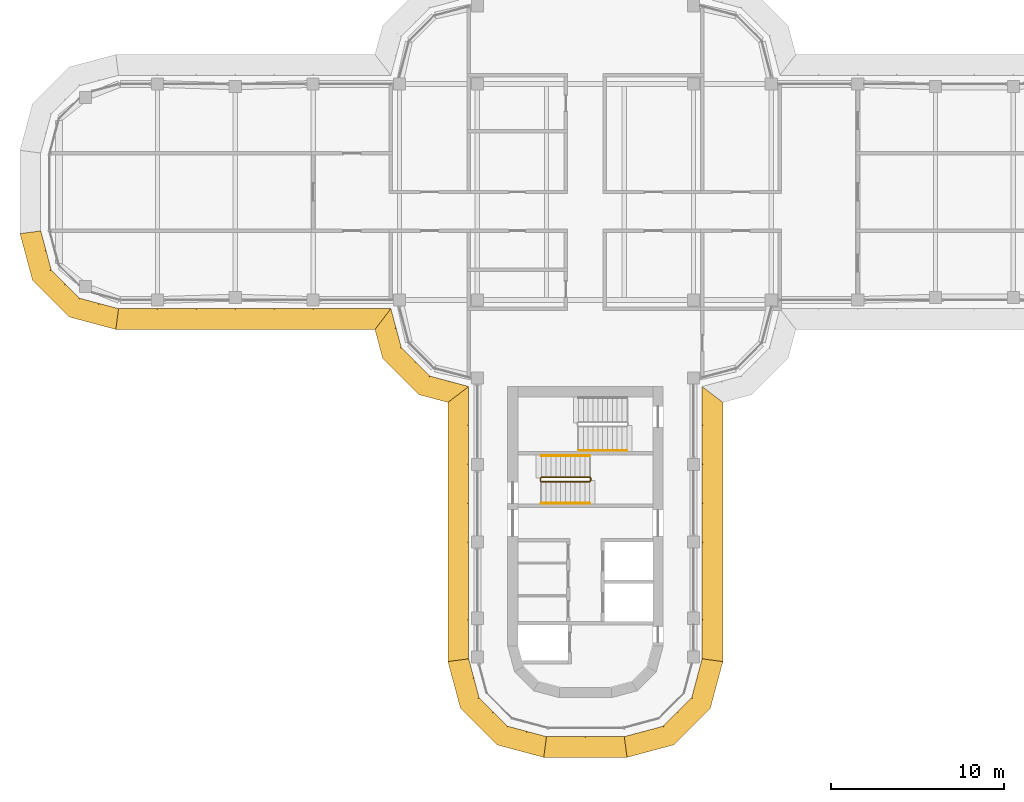
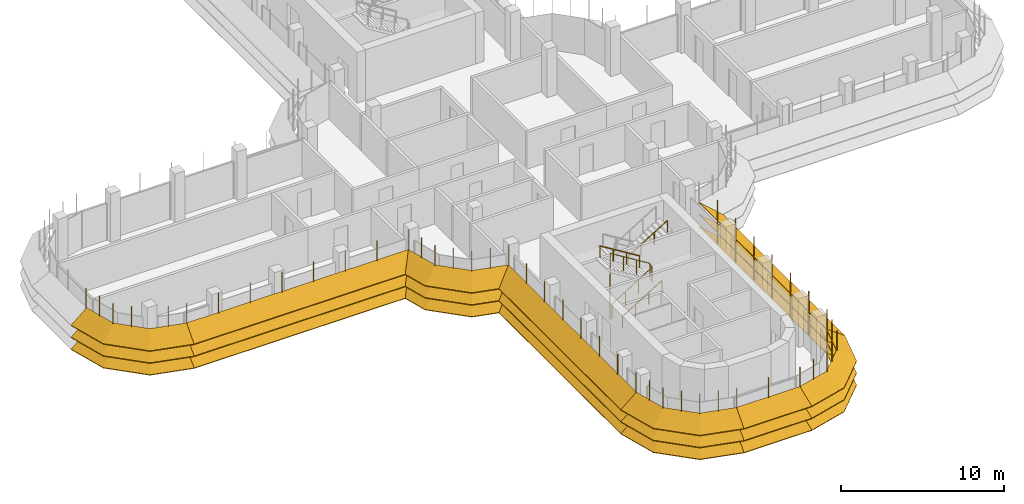
# One storey, part 17 of 19: 8 shading devices, 4 railings.
"""IFC4 building model written with IfcOpenShell, lengths in metres."""

from ifc_helpers import new_model, si_unit, direction, frame, origin, origin_2d, place, context, subcontext, project, spatial, polyline, circle, outline, extrude, faceted_brep, source, transform, mapped, material, type_object, element, save


model = new_model("IFC4")

# Units and contexts
model_context = context("Model", 3, precision=1e-05, world=origin(), true_north=direction((0.0, 1.0)))
body_context = subcontext(model_context, "Body", "Model", "MODEL_VIEW")
ifc_project = project(units=[si_unit("LENGTHUNIT", "METRE"), si_unit("AREAUNIT", "SQUARE_METRE"), si_unit("VOLUMEUNIT", "CUBIC_METRE"), si_unit("PLANEANGLEUNIT", "RADIAN"), si_unit("MASSUNIT", "GRAM", prefix="KILO")], contexts=[model_context])

# Site, building, storey
site_placement = place(None, origin())
site = spatial("IfcSite", under=ifc_project, at=site_placement, CompositionType="ELEMENT")
building_placement = place(site_placement, origin())
building = spatial("IfcBuilding", under=site, at=building_placement, Name="Zarbagh Exchange Tower", CompositionType="ELEMENT")
storey_placement = place(building_placement, frame((0.0, 0.0, 199.199951171875)))
storey = spatial("IfcBuildingStorey", under=building, at=storey_placement, Name="L48", CompositionType="ELEMENT", Elevation=199.199951171875)

# Railings
ifc_material_1 = material(Name="Stainless steel", Category="steel")
railing_type_1 = type_object("IfcRailingType", Name="Stair guard 1100 mm", PredefinedType="GUARDRAIL", material=ifc_material_1)
railing_1_placement = place(storey_placement, frame((-2.550048828125, -16.75, 0.1728515625)))
element("IfcRailing", 1, at=railing_1_placement, inside=storey, type_object=railing_type_1, Name="ST3 stair guard 1", PredefinedType="GUARDRAIL", context=body_context, shape_type="SweptSolid", body=[
    extrude(circle(Radius=0.02392578125, at=origin_2d()), frame((0.0, 0.0, 1.076171875), z_axis=(0.851089632645, 0.0, 0.525020415988), x_axis=(0.0, 1.0, 0.0)), (0.0, 0.0, 1.0), 3.2900390625),
    extrude(circle(Radius=0.02392578125, at=origin_2d()), frame((2.800048828125, 0.0, 2.80322265625), z_axis=(0.707106781187, 0.707106781187, 0.0), x_axis=(-0.707106781187, 0.707106781187, 0.0)), (0.0, 0.0, 1.0), 0.07080078125),
    extrude(circle(Radius=0.02392578125, at=origin_2d()), frame((2.85009765625, 0.050048828125, 2.80322265625), z_axis=(0.0, 1.0, 0.0), x_axis=(-1.0, 0.0, 0.0)), (0.0, 0.0, 1.0), 0.14990234375),
    extrude(circle(Radius=0.02392578125, at=origin_2d()), frame((2.85009765625, 0.199951171875, 2.80322265625), z_axis=(-0.268277960024, 0.268277960024, 0.925231793839), x_axis=(-0.707106781187, -0.707106781187, 0.0)), (0.0, 0.0, 1.0), 0.1865234375),
    extrude(circle(Radius=0.02392578125, at=origin_2d()), frame((2.800048828125, 0.25, 2.97607421875), z_axis=(-0.851089632645, 0.0, 0.525020415988), x_axis=(0.0, -1.0, 0.0)), (0.0, 0.0, 1.0), 3.2900390625),
    extrude(circle(Radius=0.02392578125, at=origin_2d()), frame((0.0, 0.25, 4.703125), z_axis=(-0.013168290981, -0.013168290981, -0.999826581076), x_axis=(0.707106781187, -0.707106781187, 0.0)), (0.0, 0.0, 1.0), 3.80078125),
    extrude(circle(Radius=0.02392578125, at=origin_2d()), frame((-0.050048828125, 0.199951171875, 0.9033203125), z_axis=(0.0, -1.0, 0.0), x_axis=(1.0, 0.0, 0.0)), (0.0, 0.0, 1.0), 0.14990234375),
    extrude(circle(Radius=0.02099609375, at=origin_2d()), origin(), (0.0, 0.0, 1.0), 1.052001953125),
    extrude(circle(Radius=0.02099609375, at=origin_2d()), frame((0.933349609375, 0.0, 0.57568359375)), (0.0, 0.0, 1.0), 1.052001953125),
    extrude(circle(Radius=0.02099609375, at=origin_2d()), frame((1.86669921875, 0.0, 1.151611328125)), (0.0, 0.0, 1.0), 1.052001953125),
    extrude(circle(Radius=0.02099609375, at=origin_2d()), frame((2.800048828125, 0.0, 1.727294921875)), (0.0, 0.0, 1.0), 1.052001953125),
    extrude(circle(Radius=0.02099609375, at=origin_2d()), frame((2.85009765625, 0.050048828125, 1.727294921875)), (0.0, 0.0, 1.0), 1.052001953125),
    extrude(circle(Radius=0.02099609375, at=origin_2d()), frame((2.85009765625, 0.199951171875, 1.727294921875)), (0.0, 0.0, 1.0), 1.052001953125),
    extrude(circle(Radius=0.02099609375, at=origin_2d()), frame((2.800048828125, 0.25, 1.89990234375)), (0.0, 0.0, 1.0), 1.052001953125),
    extrude(circle(Radius=0.02099609375, at=origin_2d()), frame((1.86669921875, 0.25, 2.4755859375)), (0.0, 0.0, 1.0), 1.052001953125),
    extrude(circle(Radius=0.02099609375, at=origin_2d()), frame((0.933349609375, 0.25, 3.051513671875)), (0.0, 0.0, 1.0), 1.052001953125),
    extrude(circle(Radius=0.02099609375, at=origin_2d()), frame((0.0, 0.25, 3.627197265625)), (0.0, 0.0, 1.0), 1.052001953125),
    extrude(circle(Radius=0.02099609375, at=origin_2d()), frame((-0.012451171875, 0.237548828125, 2.67724609375)), (0.0, 0.0, 1.0), 1.052001953125),
    extrude(circle(Radius=0.02099609375, at=origin_2d()), frame((-0.02490234375, 0.22509765625, 1.72705078125)), (0.0, 0.0, 1.0), 1.052001953125),
    extrude(circle(Radius=0.02099609375, at=origin_2d()), frame((-0.03759765625, 0.21240234375, 0.777099609375)), (0.0, 0.0, 1.0), 1.052001953125),
    extrude(circle(Radius=0.02099609375, at=origin_2d()), frame((-0.050048828125, 0.199951171875, -0.1728515625)), (0.0, 0.0, 1.0), 1.052001953125),
    extrude(circle(Radius=0.02099609375, at=origin_2d()), frame((-0.050048828125, 0.050048828125, -0.1728515625)), (0.0, 0.0, 1.0), 1.052001953125),
])
railing_type_2 = type_object("IfcRailingType", Name="Stair handrail 900 mm", PredefinedType="HANDRAIL", material=ifc_material_1)
railing_2_placement = place(storey_placement, frame((-2.550048828125, -18.0, 0.1728515625)))
element("IfcRailing", 2, at=railing_2_placement, inside=storey, type_object=railing_type_2, Name="ST3 stair handrail 1", PredefinedType="HANDRAIL", context=body_context, shape_type="SweptSolid", body=[
    extrude(circle(Radius=0.02392578125, at=origin_2d()), frame((0.0, 0.0, 0.8759765625), z_axis=(0.851089632645, 0.0, 0.525020415988), x_axis=(0.0, 1.0, 0.0)), (0.0, 0.0, 1.0), 3.2900390625),
    extrude(circle(Radius=0.02099609375, at=origin_2d()), origin(), (0.0, 0.0, 1.0), 0.851806640625),
    extrude(circle(Radius=0.02099609375, at=origin_2d()), frame((0.933349609375, 0.0, 0.57568359375)), (0.0, 0.0, 1.0), 0.851806640625),
    extrude(circle(Radius=0.02099609375, at=origin_2d()), frame((1.86669921875, 0.0, 1.151611328125)), (0.0, 0.0, 1.0), 0.851806640625),
    extrude(circle(Radius=0.02099609375, at=origin_2d()), frame((2.800048828125, 0.0, 1.727294921875)), (0.0, 0.0, 1.0), 0.851806640625),
])
railing_3_placement = place(storey_placement, frame((0.25, -15.25, 2.07275390625)))
element("IfcRailing", 3, at=railing_3_placement, inside=storey, type_object=railing_type_2, Name="ST3 stair handrail 2", PredefinedType="HANDRAIL", context=body_context, shape_type="SweptSolid", body=[
    extrude(circle(Radius=0.02392578125, at=origin_2d()), frame((0.0, 0.0, 0.8759765625), z_axis=(-0.851089632645, 0.0, 0.525020415988), x_axis=(0.0, -1.0, 0.0)), (0.0, 0.0, 1.0), 3.2900390625),
    extrude(circle(Radius=0.02099609375, at=origin_2d()), origin(), (0.0, 0.0, 1.0), 0.851806640625),
    extrude(circle(Radius=0.02099609375, at=origin_2d()), frame((-0.933349609375, 0.0, 0.57568359375)), (0.0, 0.0, 1.0), 0.851806640625),
    extrude(circle(Radius=0.02099609375, at=origin_2d()), frame((-1.86669921875, 0.0, 1.151611328125)), (0.0, 0.0, 1.0), 0.851806640625),
    extrude(circle(Radius=0.02099609375, at=origin_2d()), frame((-2.800048828125, 0.0, 1.727294921875)), (0.0, 0.0, 1.0), 0.851806640625),
])
railing_4_placement = place(storey_placement, frame((-0.39990234375, -14.949951171875, 2.07275390625)))
element("IfcRailing", 4, at=railing_4_placement, inside=storey, type_object=railing_type_2, Name="ST4 stair handrail 2", PredefinedType="HANDRAIL", context=body_context, shape_type="SweptSolid", body=[
    extrude(circle(Radius=0.02392578125, at=origin_2d()), frame((0.0, 0.0, 0.8759765625), z_axis=(0.851069175582, 0.0, 0.525053576669), x_axis=(0.0, 1.0, 0.0)), (0.0, 0.0, 1.0), 3.289794921875),
    extrude(circle(Radius=0.02099609375, at=origin_2d()), origin(), (0.0, 0.0, 1.0), 0.851806640625),
    extrude(circle(Radius=0.02099609375, at=origin_2d()), frame((0.933349609375, 0.0, 0.57568359375)), (0.0, 0.0, 1.0), 0.851806640625),
    extrude(circle(Radius=0.02099609375, at=origin_2d()), frame((1.866455078125, 0.0, 1.151611328125)), (0.0, 0.0, 1.0), 0.851806640625),
    extrude(circle(Radius=0.02099609375, at=origin_2d()), frame((2.7998046875, 0.0, 1.727294921875)), (0.0, 0.0, 1.0), 0.851806640625),
])

# Shading devices
ifc_material_2 = material(Name="Anodised aluminium blades and brackets", Category="aluminium")
shading_device_type = type_object("IfcShadingDeviceType", Name="SUNSHADE louvre band, 33.75 degree blades", PredefinedType="JALOUSIE", material=ifc_material_2)
shared_shape_1 = source(origin(), body_context, "Body", "Brep", [
    faceted_brep([(0.0, 0.0, 0.0), (0.0, 0.0, -0.048095703125), (-0.157958984375, -1.199951171875, -0.849853515625), (-0.157958984375, -1.199951171875, -0.8017578125), (2.65087890625, -1.199951171875, -0.8017578125), (2.65087890625, -1.199951171875, -0.849853515625), (2.329345703125, 0.0, -0.048095703125), (2.329345703125, 0.0, 0.0)], [[[0, 1, 2, 3]], [[4, 5, 6, 7]], [[0, 7, 6, 1]], [[1, 6, 5, 2]], [[2, 5, 4, 3]], [[3, 4, 7, 0]]]),
])
shared_shape_2 = source(origin(), body_context, "Body", "Brep", [
    faceted_brep([(0.0, 0.0, 0.0), (0.0, 0.0, -0.048095703125), (-0.321533203125, -1.199951171875, -0.849853515625), (-0.321533203125, -1.199951171875, -0.8017578125), (2.65087890625, -1.199951171875, -0.8017578125), (2.65087890625, -1.199951171875, -0.849853515625), (2.329345703125, 0.0, -0.048095703125), (2.329345703125, 0.0, 0.0)], [[[0, 1, 2, 3]], [[4, 5, 6, 7]], [[0, 7, 6, 1]], [[1, 6, 5, 2]], [[2, 5, 4, 3]], [[3, 4, 7, 0]]]),
])
shared_shape_3 = source(origin(), body_context, "Body", "Brep", [
    faceted_brep([(0.0, 0.0, 0.0), (0.0, 0.0, -0.048095703125), (-0.321533203125, -1.199951171875, -0.849853515625), (-0.321533203125, -1.199951171875, -0.8017578125), (2.4873046875, -1.199951171875, -0.8017578125), (2.4873046875, -1.199951171875, -0.849853515625), (2.329345703125, 0.0, -0.048095703125), (2.329345703125, 0.0, 0.0)], [[[0, 1, 2, 3]], [[4, 5, 6, 7]], [[0, 7, 6, 1]], [[1, 6, 5, 2]], [[2, 5, 4, 3]], [[3, 4, 7, 0]]]),
])
shared_shape_4 = source(origin(), body_context, "Body", "SweptSolid", [
    extrude(outline(polyline([(0.0, -0.012451171875), (0.06005859375, -0.012451171875), (0.06005859375, 0.012451171875), (0.0, 0.012451171875), (0.0, -0.012451171875)])), origin(), (0.0, 0.0, 1.0), 3.358154296875),
])
placement = place(storey_placement, origin())
element("IfcShadingDevice", 5, at=placement, inside=storey, type_object=shading_device_type, Name="SS35 sunshade band", PredefinedType="JALOUSIE", context=body_context, shape_type="MappedRepresentation", body=[
    mapped(shared_shape_1, transform((2.25, -31.5, 2.300048828125), x_axis=(0.965924289636, 0.258824779902, 0.0), y_axis=(-0.258824779902, 0.965924289636, 0.0), z_axis=(0.0, 0.0, 1.0))),
    mapped(shared_shape_1, transform((2.25, -31.5, 1.400146484375), x_axis=(0.965924289636, 0.258824779902, 0.0), y_axis=(-0.258824779902, 0.965924289636, 0.0), z_axis=(0.0, 0.0, 1.0))),
    mapped(shared_shape_1, transform((2.25, -31.5, 0.5), x_axis=(0.965924289636, 0.258824779902, 0.0), y_axis=(-0.258824779902, 0.965924289636, 0.0), z_axis=(0.0, 0.0, 1.0))),
    mapped(shared_shape_2, transform((4.5, -30.897216796875, 2.300048828125), x_axis=(0.707106781187, 0.707106781187, 0.0), y_axis=(-0.707106781187, 0.707106781187, 0.0), z_axis=(0.0, 0.0, 1.0))),
    mapped(shared_shape_2, transform((4.5, -30.897216796875, 1.400146484375), x_axis=(0.707106781187, 0.707106781187, 0.0), y_axis=(-0.707106781187, 0.707106781187, 0.0), z_axis=(0.0, 0.0, 1.0))),
    mapped(shared_shape_2, transform((4.5, -30.897216796875, 0.5), x_axis=(0.707106781187, 0.707106781187, 0.0), y_axis=(-0.707106781187, 0.707106781187, 0.0), z_axis=(0.0, 0.0, 1.0))),
    mapped(shared_shape_3, transform((6.147216796875, -29.25, 2.300048828125), x_axis=(0.258824779902, 0.965924289636, 0.0), y_axis=(-0.965924289636, 0.258824779902, 0.0), z_axis=(0.0, 0.0, 1.0))),
    mapped(shared_shape_3, transform((6.147216796875, -29.25, 1.400146484375), x_axis=(0.258824779902, 0.965924289636, 0.0), y_axis=(-0.965924289636, 0.258824779902, 0.0), z_axis=(0.0, 0.0, 1.0))),
    mapped(shared_shape_3, transform((6.147216796875, -29.25, 0.5), x_axis=(0.258824779902, 0.965924289636, 0.0), y_axis=(-0.965924289636, 0.258824779902, 0.0), z_axis=(0.0, 0.0, 1.0))),
    mapped(shared_shape_4, transform((2.25, -31.5, 0.421875), x_axis=(0.130529263012, -0.991444457092, 0.0), y_axis=(0.991444457092, 0.130529263012, 0.0), z_axis=(0.0, 0.0, 1.0))),
    mapped(shared_shape_4, transform((3.375, -31.198486328125, 0.421875), x_axis=(0.258825058029, -0.96592421511, 0.0), y_axis=(0.96592421511, 0.258825058029, 0.0), z_axis=(0.0, 0.0, 1.0))),
    mapped(shared_shape_4, transform((4.5, -30.897216796875, 0.421875), x_axis=(0.50000275701, -0.866023812018, 0.0), y_axis=(0.866023812018, 0.50000275701, 0.0), z_axis=(0.0, 0.0, 1.0))),
    mapped(shared_shape_4, transform((5.323486328125, -30.073486328125, 0.421875), x_axis=(0.707106781187, -0.707106781187, 0.0), y_axis=(0.707106781187, 0.707106781187, 0.0), z_axis=(0.0, 0.0, 1.0))),
    mapped(shared_shape_4, transform((6.147216796875, -29.25, 0.421875), x_axis=(0.866023812018, -0.50000275701, 0.0), y_axis=(0.50000275701, 0.866023812018, 0.0), z_axis=(0.0, 0.0, 1.0))),
    mapped(shared_shape_4, transform((6.448486328125, -28.125, 0.421875), x_axis=(0.96592421511, -0.258825058029, 0.0), y_axis=(0.258825058029, 0.96592421511, 0.0), z_axis=(0.0, 0.0, 1.0))),
])
element("IfcShadingDevice", 6, at=placement, inside=storey, type_object=shading_device_type, Name="SS43 sunshade band", PredefinedType="JALOUSIE", context=body_context, shape_type="MappedRepresentation", body=[
    mapped(shared_shape_1, transform((-31.5, -2.25, 2.300048828125), x_axis=(0.258824779902, -0.965924289636, 0.0), y_axis=(0.965924289636, 0.258824779902, 0.0), z_axis=(0.0, 0.0, 1.0))),
    mapped(shared_shape_1, transform((-31.5, -2.25, 1.400146484375), x_axis=(0.258824779902, -0.965924289636, 0.0), y_axis=(0.965924289636, 0.258824779902, 0.0), z_axis=(0.0, 0.0, 1.0))),
    mapped(shared_shape_1, transform((-31.5, -2.25, 0.5), x_axis=(0.258824779902, -0.965924289636, 0.0), y_axis=(0.965924289636, 0.258824779902, 0.0), z_axis=(0.0, 0.0, 1.0))),
    mapped(shared_shape_2, transform((-30.897216796875, -4.5, 2.300048828125), x_axis=(0.707106781187, -0.707106781187, 0.0), y_axis=(0.707106781187, 0.707106781187, 0.0), z_axis=(0.0, 0.0, 1.0))),
    mapped(shared_shape_2, transform((-30.897216796875, -4.5, 1.400146484375), x_axis=(0.707106781187, -0.707106781187, 0.0), y_axis=(0.707106781187, 0.707106781187, 0.0), z_axis=(0.0, 0.0, 1.0))),
    mapped(shared_shape_2, transform((-30.897216796875, -4.5, 0.5), x_axis=(0.707106781187, -0.707106781187, 0.0), y_axis=(0.707106781187, 0.707106781187, 0.0), z_axis=(0.0, 0.0, 1.0))),
    mapped(shared_shape_3, transform((-29.25, -6.147216796875, 2.300048828125), x_axis=(0.965924289636, -0.258824779902, 0.0), y_axis=(0.258824779902, 0.965924289636, 0.0), z_axis=(0.0, 0.0, 1.0))),
    mapped(shared_shape_3, transform((-29.25, -6.147216796875, 1.400146484375), x_axis=(0.965924289636, -0.258824779902, 0.0), y_axis=(0.258824779902, 0.965924289636, 0.0), z_axis=(0.0, 0.0, 1.0))),
    mapped(shared_shape_3, transform((-29.25, -6.147216796875, 0.5), x_axis=(0.965924289636, -0.258824779902, 0.0), y_axis=(0.258824779902, 0.965924289636, 0.0), z_axis=(0.0, 0.0, 1.0))),
    mapped(shared_shape_4, transform((-31.5, -2.25, 0.421875), x_axis=(-0.991444457092, -0.130529263012, 0.0), y_axis=(0.130529263012, -0.991444457092, 0.0), z_axis=(0.0, 0.0, 1.0))),
    mapped(shared_shape_4, transform((-31.198486328125, -3.375, 0.421875), x_axis=(-0.96592421511, -0.258825058029, 0.0), y_axis=(0.258825058029, -0.96592421511, 0.0), z_axis=(0.0, 0.0, 1.0))),
    mapped(shared_shape_4, transform((-30.897216796875, -4.5, 0.421875), x_axis=(-0.866023812018, -0.50000275701, 0.0), y_axis=(0.50000275701, -0.866023812018, 0.0), z_axis=(0.0, 0.0, 1.0))),
    mapped(shared_shape_4, transform((-30.073486328125, -5.323486328125, 0.421875), x_axis=(-0.707106781187, -0.707106781187, 0.0), y_axis=(0.707106781187, -0.707106781187, 0.0), z_axis=(0.0, 0.0, 1.0))),
    mapped(shared_shape_4, transform((-29.25, -6.147216796875, 0.421875), x_axis=(-0.50000275701, -0.866023812018, 0.0), y_axis=(0.866023812018, -0.50000275701, 0.0), z_axis=(0.0, 0.0, 1.0))),
    mapped(shared_shape_4, transform((-28.125, -6.448486328125, 0.421875), x_axis=(-0.258825058029, -0.96592421511, 0.0), y_axis=(0.96592421511, -0.258825058029, 0.0), z_axis=(0.0, 0.0, 1.0))),
])
element("IfcShadingDevice", 7, at=placement, inside=storey, type_object=shading_device_type, Name="SS38 sunshade band", PredefinedType="JALOUSIE", context=body_context, shape_type="MappedRepresentation", body=[
    mapped(shared_shape_1, transform((-6.75, -27.0, 2.300048828125), x_axis=(0.258824779902, -0.965924289636, 0.0), y_axis=(0.965924289636, 0.258824779902, 0.0), z_axis=(0.0, 0.0, 1.0))),
    mapped(shared_shape_1, transform((-6.75, -27.0, 1.400146484375), x_axis=(0.258824779902, -0.965924289636, 0.0), y_axis=(0.965924289636, 0.258824779902, 0.0), z_axis=(0.0, 0.0, 1.0))),
    mapped(shared_shape_1, transform((-6.75, -27.0, 0.5), x_axis=(0.258824779902, -0.965924289636, 0.0), y_axis=(0.965924289636, 0.258824779902, 0.0), z_axis=(0.0, 0.0, 1.0))),
    mapped(shared_shape_2, transform((-6.147216796875, -29.25, 2.300048828125), x_axis=(0.707106781187, -0.707106781187, 0.0), y_axis=(0.707106781187, 0.707106781187, 0.0), z_axis=(0.0, 0.0, 1.0))),
    mapped(shared_shape_2, transform((-6.147216796875, -29.25, 1.400146484375), x_axis=(0.707106781187, -0.707106781187, 0.0), y_axis=(0.707106781187, 0.707106781187, 0.0), z_axis=(0.0, 0.0, 1.0))),
    mapped(shared_shape_2, transform((-6.147216796875, -29.25, 0.5), x_axis=(0.707106781187, -0.707106781187, 0.0), y_axis=(0.707106781187, 0.707106781187, 0.0), z_axis=(0.0, 0.0, 1.0))),
    mapped(shared_shape_3, transform((-4.5, -30.897216796875, 2.300048828125), x_axis=(0.965924289636, -0.258824779902, 0.0), y_axis=(0.258824779902, 0.965924289636, 0.0), z_axis=(0.0, 0.0, 1.0))),
    mapped(shared_shape_3, transform((-4.5, -30.897216796875, 1.400146484375), x_axis=(0.965924289636, -0.258824779902, 0.0), y_axis=(0.258824779902, 0.965924289636, 0.0), z_axis=(0.0, 0.0, 1.0))),
    mapped(shared_shape_3, transform((-4.5, -30.897216796875, 0.5), x_axis=(0.965924289636, -0.258824779902, 0.0), y_axis=(0.258824779902, 0.965924289636, 0.0), z_axis=(0.0, 0.0, 1.0))),
    mapped(shared_shape_4, transform((-6.75, -27.0, 0.421875), x_axis=(-0.991444457092, -0.130529263012, 0.0), y_axis=(0.130529263012, -0.991444457092, 0.0), z_axis=(0.0, 0.0, 1.0))),
    mapped(shared_shape_4, transform((-6.448486328125, -28.125, 0.421875), x_axis=(-0.96592421511, -0.258825058029, 0.0), y_axis=(0.258825058029, -0.96592421511, 0.0), z_axis=(0.0, 0.0, 1.0))),
    mapped(shared_shape_4, transform((-6.147216796875, -29.25, 0.421875), x_axis=(-0.866023812018, -0.50000275701, 0.0), y_axis=(0.50000275701, -0.866023812018, 0.0), z_axis=(0.0, 0.0, 1.0))),
    mapped(shared_shape_4, transform((-5.323486328125, -30.073486328125, 0.421875), x_axis=(-0.707106781187, -0.707106781187, 0.0), y_axis=(0.707106781187, -0.707106781187, 0.0), z_axis=(0.0, 0.0, 1.0))),
    mapped(shared_shape_4, transform((-4.5, -30.897216796875, 0.421875), x_axis=(-0.50000275701, -0.866023812018, 0.0), y_axis=(0.866023812018, -0.50000275701, 0.0), z_axis=(0.0, 0.0, 1.0))),
    mapped(shared_shape_4, transform((-3.375, -31.198486328125, 0.421875), x_axis=(-0.258825058029, -0.96592421511, 0.0), y_axis=(0.96592421511, -0.258825058029, 0.0), z_axis=(0.0, 0.0, 1.0))),
])
shared_shape_5 = source(origin(), body_context, "Body", "Brep", [
    faceted_brep([(0.0, 0.0, 0.0), (0.0, 0.0, -0.048095703125), (0.9208984375, -1.199951171875, -0.849853515625), (0.9208984375, -1.199951171875, -0.8017578125), (2.65087890625, -1.199951171875, -0.8017578125), (2.65087890625, -1.199951171875, -0.849853515625), (2.329345703125, 0.0, -0.048095703125), (2.329345703125, 0.0, 0.0)], [[[0, 1, 2, 3]], [[4, 5, 6, 7]], [[0, 7, 6, 1]], [[1, 6, 5, 2]], [[2, 5, 4, 3]], [[3, 4, 7, 0]]]),
])
shared_shape_6 = source(origin(), body_context, "Body", "Brep", [
    faceted_brep([(0.0, 0.0, 0.0), (0.0, 0.0, -0.048095703125), (-0.321533203125, -1.199951171875, -0.849853515625), (-0.321533203125, -1.199951171875, -0.8017578125), (1.40869140625, -1.199951171875, -0.8017578125), (1.40869140625, -1.199951171875, -0.849853515625), (2.329345703125, 0.0, -0.048095703125), (2.329345703125, 0.0, 0.0)], [[[0, 1, 2, 3]], [[4, 5, 6, 7]], [[0, 7, 6, 1]], [[1, 6, 5, 2]], [[2, 5, 4, 3]], [[3, 4, 7, 0]]]),
])
element("IfcShadingDevice", 8, at=placement, inside=storey, type_object=shading_device_type, Name="SS21 sunshade band", PredefinedType="JALOUSIE", context=body_context, shape_type="MappedRepresentation", body=[
    mapped(shared_shape_5, transform((-11.25, -6.75, 2.300048828125), x_axis=(0.258824779902, -0.965924289636, 0.0), y_axis=(0.965924289636, 0.258824779902, 0.0), z_axis=(0.0, 0.0, 1.0))),
    mapped(shared_shape_5, transform((-11.25, -6.75, 1.400146484375), x_axis=(0.258824779902, -0.965924289636, 0.0), y_axis=(0.965924289636, 0.258824779902, 0.0), z_axis=(0.0, 0.0, 1.0))),
    mapped(shared_shape_5, transform((-11.25, -6.75, 0.5), x_axis=(0.258824779902, -0.965924289636, 0.0), y_axis=(0.965924289636, 0.258824779902, 0.0), z_axis=(0.0, 0.0, 1.0))),
    mapped(shared_shape_2, transform((-10.647216796875, -9.0, 2.300048828125), x_axis=(0.707106781187, -0.707106781187, 0.0), y_axis=(0.707106781187, 0.707106781187, 0.0), z_axis=(0.0, 0.0, 1.0))),
    mapped(shared_shape_2, transform((-10.647216796875, -9.0, 1.400146484375), x_axis=(0.707106781187, -0.707106781187, 0.0), y_axis=(0.707106781187, 0.707106781187, 0.0), z_axis=(0.0, 0.0, 1.0))),
    mapped(shared_shape_2, transform((-10.647216796875, -9.0, 0.5), x_axis=(0.707106781187, -0.707106781187, 0.0), y_axis=(0.707106781187, 0.707106781187, 0.0), z_axis=(0.0, 0.0, 1.0))),
    mapped(shared_shape_6, transform((-9.0, -10.647216796875, 2.300048828125), x_axis=(0.965924289636, -0.258824779902, 0.0), y_axis=(0.258824779902, 0.965924289636, 0.0), z_axis=(0.0, 0.0, 1.0))),
    mapped(shared_shape_6, transform((-9.0, -10.647216796875, 1.400146484375), x_axis=(0.965924289636, -0.258824779902, 0.0), y_axis=(0.258824779902, 0.965924289636, 0.0), z_axis=(0.0, 0.0, 1.0))),
    mapped(shared_shape_6, transform((-9.0, -10.647216796875, 0.5), x_axis=(0.965924289636, -0.258824779902, 0.0), y_axis=(0.258824779902, 0.965924289636, 0.0), z_axis=(0.0, 0.0, 1.0))),
    mapped(shared_shape_4, transform((-11.25, -6.75, 0.421875), x_axis=(-0.608758892, -0.793355287, 0.0), y_axis=(0.793355287, -0.608758892, 0.0), z_axis=(0.0, 0.0, 1.0))),
    mapped(shared_shape_4, transform((-10.948486328125, -7.875, 0.421875), x_axis=(-0.96592421511, -0.258825058029, 0.0), y_axis=(0.258825058029, -0.96592421511, 0.0), z_axis=(0.0, 0.0, 1.0))),
    mapped(shared_shape_4, transform((-10.647216796875, -9.0, 0.421875), x_axis=(-0.866023812018, -0.50000275701, 0.0), y_axis=(0.50000275701, -0.866023812018, 0.0), z_axis=(0.0, 0.0, 1.0))),
    mapped(shared_shape_4, transform((-9.823486328125, -9.823486328125, 0.421875), x_axis=(-0.707106781187, -0.707106781187, 0.0), y_axis=(0.707106781187, -0.707106781187, 0.0), z_axis=(0.0, 0.0, 1.0))),
    mapped(shared_shape_4, transform((-9.0, -10.647216796875, 0.421875), x_axis=(-0.50000275701, -0.866023812018, 0.0), y_axis=(0.866023812018, -0.50000275701, 0.0), z_axis=(0.0, 0.0, 1.0))),
    mapped(shared_shape_4, transform((-7.875, -10.948486328125, 0.421875), x_axis=(-0.258825058029, -0.96592421511, 0.0), y_axis=(0.96592421511, -0.258825058029, 0.0), z_axis=(0.0, 0.0, 1.0))),
])
shared_shape_7 = source(origin(), body_context, "Body", "Brep", [
    faceted_brep([(0.0, 0.0, 0.0), (0.0, 0.0, -0.048095703125), (-0.157958984375, -1.199951171875, -0.849853515625), (-0.157958984375, -1.199951171875, -0.8017578125), (14.8291015625, -1.199951171875, -0.8017578125), (14.8291015625, -1.199951171875, -0.849853515625), (15.75, 0.0, -0.048095703125), (15.75, 0.0, 0.0)], [[[0, 1, 2, 3]], [[4, 5, 6, 7]], [[0, 7, 6, 1]], [[1, 6, 5, 2]], [[2, 5, 4, 3]], [[3, 4, 7, 0]]]),
])
element("IfcShadingDevice", 9, at=placement, inside=storey, type_object=shading_device_type, Name="SS36 sunshade band", PredefinedType="JALOUSIE", context=body_context, shape_type="MappedRepresentation", body=[
    mapped(shared_shape_7, transform((6.75, -27.0, 2.300048828125), x_axis=(0.0, 1.0, 0.0), y_axis=(-1.0, 0.0, 0.0), z_axis=(0.0, 0.0, 1.0))),
    mapped(shared_shape_7, transform((6.75, -27.0, 1.400146484375), x_axis=(0.0, 1.0, 0.0), y_axis=(-1.0, 0.0, 0.0), z_axis=(0.0, 0.0, 1.0))),
    mapped(shared_shape_7, transform((6.75, -27.0, 0.5), x_axis=(0.0, 1.0, 0.0), y_axis=(-1.0, 0.0, 0.0), z_axis=(0.0, 0.0, 1.0))),
    mapped(shared_shape_4, transform((6.75, -27.0, 0.421875), x_axis=(0.991444457092, -0.130529263012, 0.0), y_axis=(0.130529263012, 0.991444457092, 0.0), z_axis=(0.0, 0.0, 1.0))),
    mapped(shared_shape_4, transform((6.75, -24.75, 0.421875), x_axis=(1.0, 0.0, 0.0), y_axis=(0.0, 1.0, 0.0), z_axis=(0.0, 0.0, 1.0))),
    mapped(shared_shape_4, transform((6.75, -22.5, 0.421875), x_axis=(1.0, 0.0, 0.0), y_axis=(0.0, 1.0, 0.0), z_axis=(0.0, 0.0, 1.0))),
    mapped(shared_shape_4, transform((6.75, -20.25, 0.421875), x_axis=(1.0, 0.0, 0.0), y_axis=(0.0, 1.0, 0.0), z_axis=(0.0, 0.0, 1.0))),
    mapped(shared_shape_4, transform((6.75, -18.0, 0.421875), x_axis=(1.0, 0.0, 0.0), y_axis=(0.0, 1.0, 0.0), z_axis=(0.0, 0.0, 1.0))),
    mapped(shared_shape_4, transform((6.75, -15.75, 0.421875), x_axis=(1.0, 0.0, 0.0), y_axis=(0.0, 1.0, 0.0), z_axis=(0.0, 0.0, 1.0))),
    mapped(shared_shape_4, transform((6.75, -13.5, 0.421875), x_axis=(1.0, 0.0, 0.0), y_axis=(0.0, 1.0, 0.0), z_axis=(0.0, 0.0, 1.0))),
])
element("IfcShadingDevice", 10, at=placement, inside=storey, type_object=shading_device_type, Name="SS44 sunshade band", PredefinedType="JALOUSIE", context=body_context, shape_type="MappedRepresentation", body=[
    mapped(shared_shape_7, transform((-27.0, -6.75, 2.300048828125), x_axis=(1.0, 0.0, 0.0), y_axis=(0.0, 1.0, 0.0), z_axis=(0.0, 0.0, 1.0))),
    mapped(shared_shape_7, transform((-27.0, -6.75, 1.400146484375), x_axis=(1.0, 0.0, 0.0), y_axis=(0.0, 1.0, 0.0), z_axis=(0.0, 0.0, 1.0))),
    mapped(shared_shape_7, transform((-27.0, -6.75, 0.5), x_axis=(1.0, 0.0, 0.0), y_axis=(0.0, 1.0, 0.0), z_axis=(0.0, 0.0, 1.0))),
    mapped(shared_shape_4, transform((-27.0, -6.75, 0.421875), x_axis=(-0.130529263012, -0.991444457092, 0.0), y_axis=(0.991444457092, -0.130529263012, 0.0), z_axis=(0.0, 0.0, 1.0))),
    mapped(shared_shape_4, transform((-24.75, -6.75, 0.421875), x_axis=(0.0, -1.0, 0.0), y_axis=(1.0, 0.0, 0.0), z_axis=(0.0, 0.0, 1.0))),
    mapped(shared_shape_4, transform((-22.5, -6.75, 0.421875), x_axis=(0.0, -1.0, 0.0), y_axis=(1.0, 0.0, 0.0), z_axis=(0.0, 0.0, 1.0))),
    mapped(shared_shape_4, transform((-20.25, -6.75, 0.421875), x_axis=(0.0, -1.0, 0.0), y_axis=(1.0, 0.0, 0.0), z_axis=(0.0, 0.0, 1.0))),
    mapped(shared_shape_4, transform((-18.0, -6.75, 0.421875), x_axis=(0.0, -1.0, 0.0), y_axis=(1.0, 0.0, 0.0), z_axis=(0.0, 0.0, 1.0))),
    mapped(shared_shape_4, transform((-15.75, -6.75, 0.421875), x_axis=(0.0, -1.0, 0.0), y_axis=(1.0, 0.0, 0.0), z_axis=(0.0, 0.0, 1.0))),
    mapped(shared_shape_4, transform((-13.5, -6.75, 0.421875), x_axis=(0.0, -1.0, 0.0), y_axis=(1.0, 0.0, 0.0), z_axis=(0.0, 0.0, 1.0))),
])
shared_shape_8 = source(origin(), body_context, "Body", "Brep", [
    faceted_brep([(0.0, 0.0, 0.0), (0.0, 0.0, -0.048095703125), (0.9208984375, -1.199951171875, -0.849853515625), (0.9208984375, -1.199951171875, -0.8017578125), (15.907958984375, -1.199951171875, -0.8017578125), (15.907958984375, -1.199951171875, -0.849853515625), (15.75, 0.0, -0.048095703125), (15.75, 0.0, 0.0)], [[[0, 1, 2, 3]], [[4, 5, 6, 7]], [[0, 7, 6, 1]], [[1, 6, 5, 2]], [[2, 5, 4, 3]], [[3, 4, 7, 0]]]),
])
element("IfcShadingDevice", 11, at=placement, inside=storey, type_object=shading_device_type, Name="SS37 sunshade band", PredefinedType="JALOUSIE", context=body_context, shape_type="MappedRepresentation", body=[
    mapped(shared_shape_8, transform((-6.75, -11.25, 2.300048828125), x_axis=(0.0, -1.0, 0.0), y_axis=(1.0, 0.0, 0.0), z_axis=(0.0, 0.0, 1.0))),
    mapped(shared_shape_8, transform((-6.75, -11.25, 1.400146484375), x_axis=(0.0, -1.0, 0.0), y_axis=(1.0, 0.0, 0.0), z_axis=(0.0, 0.0, 1.0))),
    mapped(shared_shape_8, transform((-6.75, -11.25, 0.5), x_axis=(0.0, -1.0, 0.0), y_axis=(1.0, 0.0, 0.0), z_axis=(0.0, 0.0, 1.0))),
    mapped(shared_shape_4, transform((-6.75, -11.25, 0.421875), x_axis=(-0.793355287, -0.608758892, 0.0), y_axis=(0.608758892, -0.793355287, 0.0), z_axis=(0.0, 0.0, 1.0))),
    mapped(shared_shape_4, transform((-6.75, -13.5, 0.421875), x_axis=(-1.0, 0.0, 0.0), y_axis=(0.0, -1.0, 0.0), z_axis=(0.0, 0.0, 1.0))),
    mapped(shared_shape_4, transform((-6.75, -15.75, 0.421875), x_axis=(-1.0, 0.0, 0.0), y_axis=(0.0, -1.0, 0.0), z_axis=(0.0, 0.0, 1.0))),
    mapped(shared_shape_4, transform((-6.75, -18.0, 0.421875), x_axis=(-1.0, 0.0, 0.0), y_axis=(0.0, -1.0, 0.0), z_axis=(0.0, 0.0, 1.0))),
    mapped(shared_shape_4, transform((-6.75, -20.25, 0.421875), x_axis=(-1.0, 0.0, 0.0), y_axis=(0.0, -1.0, 0.0), z_axis=(0.0, 0.0, 1.0))),
    mapped(shared_shape_4, transform((-6.75, -22.5, 0.421875), x_axis=(-1.0, 0.0, 0.0), y_axis=(0.0, -1.0, 0.0), z_axis=(0.0, 0.0, 1.0))),
    mapped(shared_shape_4, transform((-6.75, -24.75, 0.421875), x_axis=(-1.0, 0.0, 0.0), y_axis=(0.0, -1.0, 0.0), z_axis=(0.0, 0.0, 1.0))),
])
shared_shape_9 = source(origin(), body_context, "Body", "Brep", [
    faceted_brep([(0.0, 0.0, 0.0), (0.0, 0.0, -0.048095703125), (-0.157958984375, -1.199951171875, -0.849853515625), (-0.157958984375, -1.199951171875, -0.8017578125), (4.657958984375, -1.199951171875, -0.8017578125), (4.657958984375, -1.199951171875, -0.849853515625), (4.5, 0.0, -0.048095703125), (4.5, 0.0, 0.0)], [[[0, 1, 2, 3]], [[4, 5, 6, 7]], [[0, 7, 6, 1]], [[1, 6, 5, 2]], [[2, 5, 4, 3]], [[3, 4, 7, 0]]]),
])
element("IfcShadingDevice", 12, at=placement, inside=storey, type_object=shading_device_type, Name="SS39 sunshade band", PredefinedType="JALOUSIE", context=body_context, shape_type="MappedRepresentation", body=[
    mapped(shared_shape_9, transform((-2.25, -31.5, 2.300048828125), x_axis=(1.0, 0.0, 0.0), y_axis=(0.0, 1.0, 0.0), z_axis=(0.0, 0.0, 1.0))),
    mapped(shared_shape_9, transform((-2.25, -31.5, 1.400146484375), x_axis=(1.0, 0.0, 0.0), y_axis=(0.0, 1.0, 0.0), z_axis=(0.0, 0.0, 1.0))),
    mapped(shared_shape_9, transform((-2.25, -31.5, 0.5), x_axis=(1.0, 0.0, 0.0), y_axis=(0.0, 1.0, 0.0), z_axis=(0.0, 0.0, 1.0))),
    mapped(shared_shape_4, transform((-2.25, -31.5, 0.421875), x_axis=(-0.130529263012, -0.991444457092, 0.0), y_axis=(0.991444457092, -0.130529263012, 0.0), z_axis=(0.0, 0.0, 1.0))),
    mapped(shared_shape_4, transform((0.0, -31.5, 0.421875), x_axis=(0.0, -1.0, 0.0), y_axis=(1.0, 0.0, 0.0), z_axis=(0.0, 0.0, 1.0))),
])

save(model, "model.ifc")
